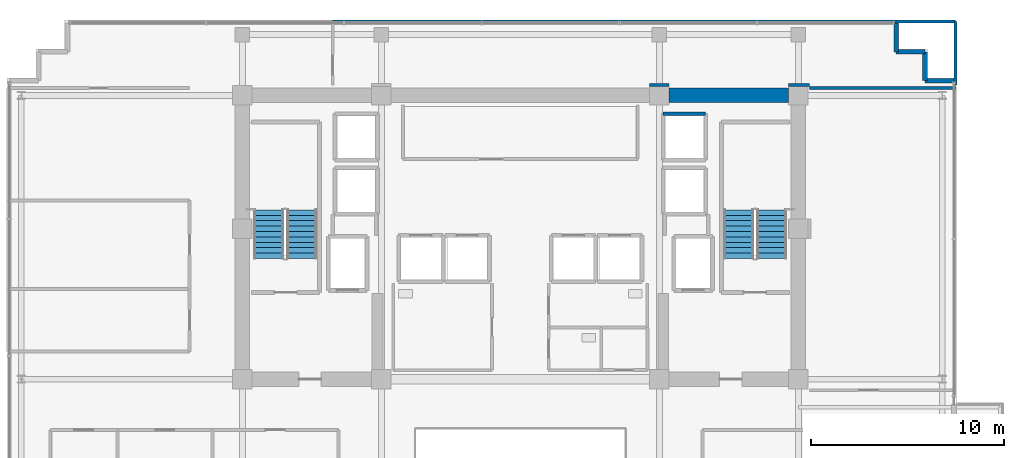
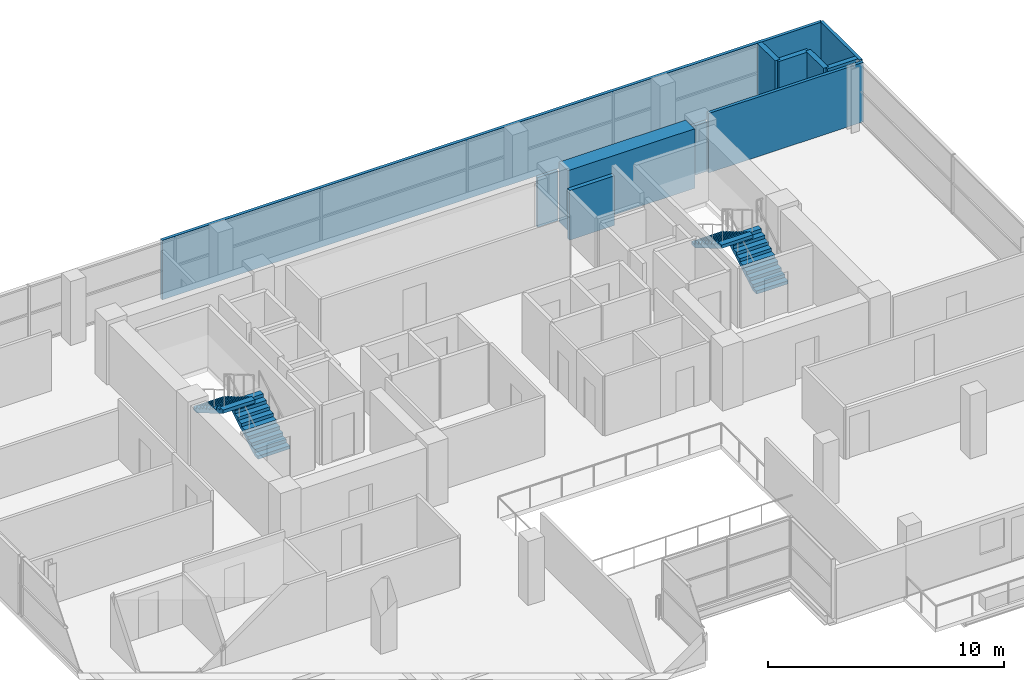
# One storey, part 21 of 25: 11 walls, 4 stair flights, 2 elements without a shape of their own.
"""IFC4 building model written with IfcOpenShell, lengths in metres."""

from ifc_helpers import new_model, si_unit, direction, frame, frame_2d, origin, place, context, subcontext, project, spatial, polyline, rectangle, outline, extrude, material, layer, layer_set, type_object, element, aggregate, save


model = new_model("IFC4")

# Units and contexts
model_context = context("Model", 3, precision=1e-05, world=origin(), true_north=direction((0.0, 1.0)))
body_context = subcontext(model_context, "Body", "Model", "MODEL_VIEW")
ifc_project = project(units=[si_unit("LENGTHUNIT", "METRE"), si_unit("AREAUNIT", "SQUARE_METRE"), si_unit("VOLUMEUNIT", "CUBIC_METRE"), si_unit("PLANEANGLEUNIT", "RADIAN"), si_unit("MASSUNIT", "GRAM", prefix="KILO")], contexts=[model_context])

# Site, building, storey
site_placement = place(None, origin())
site = spatial("IfcSite", under=ifc_project, at=site_placement, CompositionType="ELEMENT")
building_placement = place(site_placement, origin())
building = spatial("IfcBuilding", under=site, at=building_placement, Name="Zarnakvel Exchange Tower", CompositionType="ELEMENT")
storey_placement = place(building_placement, frame((0.0, 0.0, 169.300048828125)))
storey = spatial("IfcBuildingStorey", under=building, at=storey_placement, Name="L47", CompositionType="ELEMENT", Elevation=169.300048828125)

# Walls
ifc_material_1 = material(Name="Concrete C60/75", Category="concrete")
ifc_layer_1 = layer(ifc_material_1, 0.75)
ifc_layer_set_1 = layer_set([ifc_layer_1], Name="Concrete C60/75")
wall_type_1 = type_object("IfcWallType", Name="CW-C3", PredefinedType="SHEAR", material=ifc_layer_set_1)
wall_1_placement = place(storey_placement, frame((7.699951171875, 13.5, 0.0), z_axis=(0.0, 0.0, 1.0), x_axis=(1.0, 0.0, 0.0)))
element("IfcWall", 1, at=wall_1_placement, inside=storey, type_object=wall_type_1, Name="L47 Rear Core Shear Wall N3 (CW-C3)", PredefinedType="SHEAR", context=body_context, shape_type="SweptSolid", body=[
    extrude(rectangle(XDim=6.199951171875, YDim=0.75, at=frame_2d((3.10009765625, 0.0))), origin(), (0.0, 0.0, 1.0), 3.074951171875),
])
ifc_material_2 = material(Name="Precast concrete C40/50", Category="concrete")
ifc_layer_2 = layer(ifc_material_2, 0.239990234375)
ifc_layer_set_2 = layer_set([ifc_layer_2], Name="Precast concrete C40/50")
wall_type_2 = type_object("IfcWallType", Name="EW-02", PredefinedType="SOLIDWALL", material=ifc_layer_set_2)
for number, where, z_axis, x_axis, name in (
    (2, (19.4599609375, 15.760009765625, 0.0), (0.0, 0.0, 1.0), (0.0, 1.0, 0.0), "L47 Exterior Precast Spandrel Wall EWC-L47-05 (EW-02)"),
    (3, (20.9599609375, 15.760009765625, 0.0), (0.0, 0.0, 1.0), (-1.0, 0.0, 0.0), "L47 Exterior Precast Spandrel Wall EWC-L47-06 (EW-02)"),
    (4, (20.9599609375, 14.260009765625, 0.0), (0.0, 0.0, 1.0), (0.0, 1.0, 0.0), "L47 Exterior Precast Spandrel Wall EWC-L47-07 (EW-02)"),
    (5, (22.4599609375, 14.260009765625, 0.0), (0.0, 0.0, 1.0), (-1.0, 0.0, 0.0), "L47 Exterior Precast Spandrel Wall EWC-L47-08 (EW-02)"),
):
    element("IfcWall", number, at=place(storey_placement, frame(where, z_axis=z_axis, x_axis=x_axis)), inside=storey, type_object=wall_type_2, Name=name, PredefinedType="SOLIDWALL", context=body_context, shape_type="SweptSolid", body=[
        extrude(rectangle(XDim=1.5, YDim=0.239990234375, at=frame_2d((0.75, 0.0))), origin(), (0.0, 0.0, 1.0), 3.074951171875),
    ])
ifc_material_3 = material(Name="Fire-Rated Gypsum Stud Partition", Category="gypsum")
ifc_layer_3 = layer(ifc_material_3, 0.14990234375)
ifc_layer_set_3 = layer_set([ifc_layer_3], Name="Fire-Rated Gypsum Stud Partition")
wall_type_3 = type_object("IfcWallType", Name="PT-01", PredefinedType="PARTITIONING", material=ifc_layer_set_3)
wall_2_placement = place(storey_placement, frame((14.969970703125, 13.8798828125, 0.0), z_axis=(0.0, 0.0, 1.0), x_axis=(1.0, 0.0, 0.0)))
element("IfcWall", 6, at=wall_2_placement, inside=storey, type_object=wall_type_3, Name="L47 Partition Wall PWALL-L47-054 (PT-01)", PredefinedType="PARTITIONING", context=body_context, shape_type="SweptSolid", body=[
    extrude(rectangle(XDim=7.56005859375, YDim=0.14990234375, at=frame_2d((3.780029296875, 0.0))), origin(), (0.0, 0.0, 1.0), 3.074951171875),
])
wall_3_placement = place(storey_placement, frame((7.699951171875, 14.030029296875, 0.0), z_axis=(0.0, 0.0, 1.0), x_axis=(-1.0, 0.0, 0.0)))
element("IfcWall", 7, at=wall_3_placement, inside=storey, type_object=wall_type_3, Name="L47 Partition Wall PWALL-L47-057 (PT-01)", PredefinedType="PARTITIONING", context=body_context, shape_type="SweptSolid", body=[
    extrude(rectangle(XDim=1.0, YDim=0.14990234375, at=frame_2d((0.5, 0.0))), origin(), (0.0, 0.0, 1.0), 2.56494140625),
])
wall_4_placement = place(storey_placement, frame((14.969970703125, 14.030029296875, 0.0), z_axis=(0.0, 0.0, 1.0), x_axis=(-1.0, 0.0, 0.0)))
element("IfcWall", 8, at=wall_4_placement, inside=storey, type_object=wall_type_3, Name="L47 Partition Wall PWALL-L47-058 (PT-01)", PredefinedType="PARTITIONING", context=body_context, shape_type="SweptSolid", body=[
    extrude(rectangle(XDim=1.070068359375, YDim=0.14990234375, at=frame_2d((0.53515625, 0.0))), origin(), (0.0, 0.0, 1.0), 2.56494140625),
])
wall_5_placement = place(storey_placement, frame((-9.719970703125, 17.330078125, 0.0), z_axis=(0.0, 0.0, 1.0), x_axis=(1.0, 0.0, 0.0)))
element("IfcWall", 9, at=wall_5_placement, inside=storey, type_object=wall_type_3, Name="L47 Partition Wall PWALL-L47-059 (PT-01)", PredefinedType="PARTITIONING", context=body_context, shape_type="SweptSolid", body=[
    extrude(rectangle(XDim=32.25, YDim=0.14990234375, at=frame_2d((16.125, 0.0))), origin(), (0.0, 0.0, 1.0), 3.074951171875),
])
wall_6_placement = place(storey_placement, frame((22.530029296875, 17.330078125, 0.0), z_axis=(0.0, 0.0, 1.0), x_axis=(0.0, -1.0, 0.0)))
element("IfcWall", 10, at=wall_6_placement, inside=storey, type_object=wall_type_3, Name="L47 Partition Wall PWALL-L47-061 (PT-01)", PredefinedType="PARTITIONING", context=body_context, shape_type="SweptSolid", body=[
    extrude(rectangle(XDim=3.300048828125, YDim=0.14990234375, at=frame_2d((1.64990234375, 0.0))), origin(), (0.0, 0.0, 1.0), 3.074951171875),
])
ifc_material_4 = material(Name="Concrete C40/50", Category="concrete")
ifc_layer_4 = layer(ifc_material_4, 0.199951171875)
ifc_layer_set_4 = layer_set([ifc_layer_4], Name="Concrete C40/50")
wall_type_4 = type_object("IfcWallType", Name="SW-01", PredefinedType="SOLIDWALL", material=ifc_layer_set_4)
wall_7_placement = place(storey_placement, frame((7.39990234375, 12.550048828125, 0.0), z_axis=(0.0, 0.0, 1.0), x_axis=(1.0, 0.0, 0.0)))
element("IfcWall", 11, at=wall_7_placement, inside=storey, type_object=wall_type_4, Name="L47 PL-12 Hoistway Wall North", PredefinedType="SOLIDWALL", context=body_context, shape_type="SweptSolid", body=[
    extrude(rectangle(XDim=2.2001953125, YDim=0.199951171875, at=frame_2d((1.10009765625, 0.0))), origin(), (0.0, 0.0, 1.0), 2.56494140625),
])

# Stair, stair flights
stair_type = type_object("IfcStairType", Name="STR-01", PredefinedType="HALF_TURN_STAIR", material=ifc_material_4)
stair_1_placement = place(storey_placement, origin())
stair_1 = element("IfcStair", 12, at=stair_1_placement, inside=storey, type_object=stair_type, Name="L47 Protected Core Exit Stair ST-01", PredefinedType="HALF_TURN_STAIR")
stair_flight_type = type_object("IfcStairFlightType", Name="FLT-01", PredefinedType="STRAIGHT", material=ifc_material_4)
stair_flight_1_placement = place(storey_placement, frame((-11.31494140625, 5.050048828125, 0.0), z_axis=(0.0, 0.0, 1.0), x_axis=(0.0, 1.0, 0.0)))
stair_flight_1 = element("IfcStairFlight", 13, at=stair_flight_1_placement, type_object=stair_flight_type, Name="ST-01 flight 1", NumberOfRisers=10, NumberOfTreads=9, PredefinedType="STRAIGHT", RiserHeight=0.165, TreadLength=0.28, context=body_context, shape_type="SweptSolid", body=[
    extrude(outline(polyline([(0.0, 0.0), (0.0, 0.1650390625), (0.280029296875, 0.1650390625), (0.280029296875, 0.330078125), (0.56005859375, 0.330078125), (0.56005859375, 0.4951171875), (0.840087890625, 0.4951171875), (0.840087890625, 0.659912109375), (1.1201171875, 0.659912109375), (1.1201171875, 0.824951171875), (1.39990234375, 0.824951171875), (1.39990234375, 0.989990234375), (1.679931640625, 0.989990234375), (1.679931640625, 1.155029296875), (1.9599609375, 1.155029296875), (1.9599609375, 1.320068359375), (2.239990234375, 1.320068359375), (2.239990234375, 1.485107421875), (2.52001953125, 1.485107421875), (2.52001953125, 1.64990234375), (2.52001953125, 1.31103515625), (0.295166015625, 0.0), (0.0, 0.0)])), frame((0.0, 0.77490234375, 0.0), z_axis=(0.0, -1.0, 0.0), x_axis=(1.0, 0.0, 0.0)), (0.0, 0.0, 1.0), 1.550048828125),
])
stair_flight_2_placement = place(storey_placement, frame((-13.02490234375, 7.570068359375, 1.64990234375), z_axis=(0.0, 0.0, 1.0), x_axis=(0.0, -1.0, 0.0)))
stair_flight_2 = element("IfcStairFlight", 14, at=stair_flight_2_placement, type_object=stair_flight_type, Name="ST-01 flight 2", NumberOfRisers=10, NumberOfTreads=9, PredefinedType="STRAIGHT", RiserHeight=0.165, TreadLength=0.28, context=body_context, shape_type="SweptSolid", body=[
    extrude(outline(polyline([(0.0, 0.0), (0.0, 0.1650390625), (0.280029296875, 0.1650390625), (0.280029296875, 0.330078125), (0.56005859375, 0.330078125), (0.56005859375, 0.4951171875), (0.840087890625, 0.4951171875), (0.840087890625, 0.659912109375), (1.1201171875, 0.659912109375), (1.1201171875, 0.824951171875), (1.39990234375, 0.824951171875), (1.39990234375, 0.989990234375), (1.679931640625, 0.989990234375), (1.679931640625, 1.155029296875), (1.9599609375, 1.155029296875), (1.9599609375, 1.320068359375), (2.239990234375, 1.320068359375), (2.239990234375, 1.485107421875), (2.52001953125, 1.485107421875), (2.52001953125, 1.64990234375), (2.52001953125, 1.31103515625), (0.295166015625, 0.0), (0.0, 0.0)])), frame((0.0, 0.77490234375, 0.0), z_axis=(0.0, -1.0, 0.0), x_axis=(1.0, 0.0, 0.0)), (0.0, 0.0, 1.0), 1.550048828125),
])
aggregate(stair_1, [stair_flight_1, stair_flight_2])

stair_2_placement = place(storey_placement, origin())
stair_2 = element("IfcStair", 15, at=stair_2_placement, inside=storey, type_object=stair_type, Name="L47 Protected Core Exit Stair ST-02", PredefinedType="HALF_TURN_STAIR")
stair_flight_3_placement = place(storey_placement, frame((13.02490234375, 5.050048828125, 0.0), z_axis=(0.0, 0.0, 1.0), x_axis=(0.0, 1.0, 0.0)))
stair_flight_3 = element("IfcStairFlight", 16, at=stair_flight_3_placement, type_object=stair_flight_type, Name="ST-02 flight 1", NumberOfRisers=10, NumberOfTreads=9, PredefinedType="STRAIGHT", RiserHeight=0.165, TreadLength=0.28, context=body_context, shape_type="SweptSolid", body=[
    extrude(outline(polyline([(0.0, 0.0), (0.0, 0.1650390625), (0.280029296875, 0.1650390625), (0.280029296875, 0.330078125), (0.56005859375, 0.330078125), (0.56005859375, 0.4951171875), (0.840087890625, 0.4951171875), (0.840087890625, 0.659912109375), (1.1201171875, 0.659912109375), (1.1201171875, 0.824951171875), (1.39990234375, 0.824951171875), (1.39990234375, 0.989990234375), (1.679931640625, 0.989990234375), (1.679931640625, 1.155029296875), (1.9599609375, 1.155029296875), (1.9599609375, 1.320068359375), (2.239990234375, 1.320068359375), (2.239990234375, 1.485107421875), (2.52001953125, 1.485107421875), (2.52001953125, 1.64990234375), (2.52001953125, 1.31103515625), (0.295166015625, 0.0), (0.0, 0.0)])), frame((0.0, 0.77490234375, 0.0), z_axis=(0.0, -1.0, 0.0), x_axis=(1.0, 0.0, 0.0)), (0.0, 0.0, 1.0), 1.550048828125),
])
stair_flight_4_placement = place(storey_placement, frame((11.31494140625, 7.570068359375, 1.64990234375), z_axis=(0.0, 0.0, 1.0), x_axis=(0.0, -1.0, 0.0)))
stair_flight_4 = element("IfcStairFlight", 17, at=stair_flight_4_placement, type_object=stair_flight_type, Name="ST-02 flight 2", NumberOfRisers=10, NumberOfTreads=9, PredefinedType="STRAIGHT", RiserHeight=0.165, TreadLength=0.28, context=body_context, shape_type="SweptSolid", body=[
    extrude(outline(polyline([(0.0, 0.0), (0.0, 0.1650390625), (0.280029296875, 0.1650390625), (0.280029296875, 0.330078125), (0.56005859375, 0.330078125), (0.56005859375, 0.4951171875), (0.840087890625, 0.4951171875), (0.840087890625, 0.659912109375), (1.1201171875, 0.659912109375), (1.1201171875, 0.824951171875), (1.39990234375, 0.824951171875), (1.39990234375, 0.989990234375), (1.679931640625, 0.989990234375), (1.679931640625, 1.155029296875), (1.9599609375, 1.155029296875), (1.9599609375, 1.320068359375), (2.239990234375, 1.320068359375), (2.239990234375, 1.485107421875), (2.52001953125, 1.485107421875), (2.52001953125, 1.64990234375), (2.52001953125, 1.31103515625), (0.295166015625, 0.0), (0.0, 0.0)])), frame((0.0, 0.77490234375, 0.0), z_axis=(0.0, -1.0, 0.0), x_axis=(1.0, 0.0, 0.0)), (0.0, 0.0, 1.0), 1.550048828125),
])
aggregate(stair_2, [stair_flight_3, stair_flight_4])

save(model, "model.ifc")
